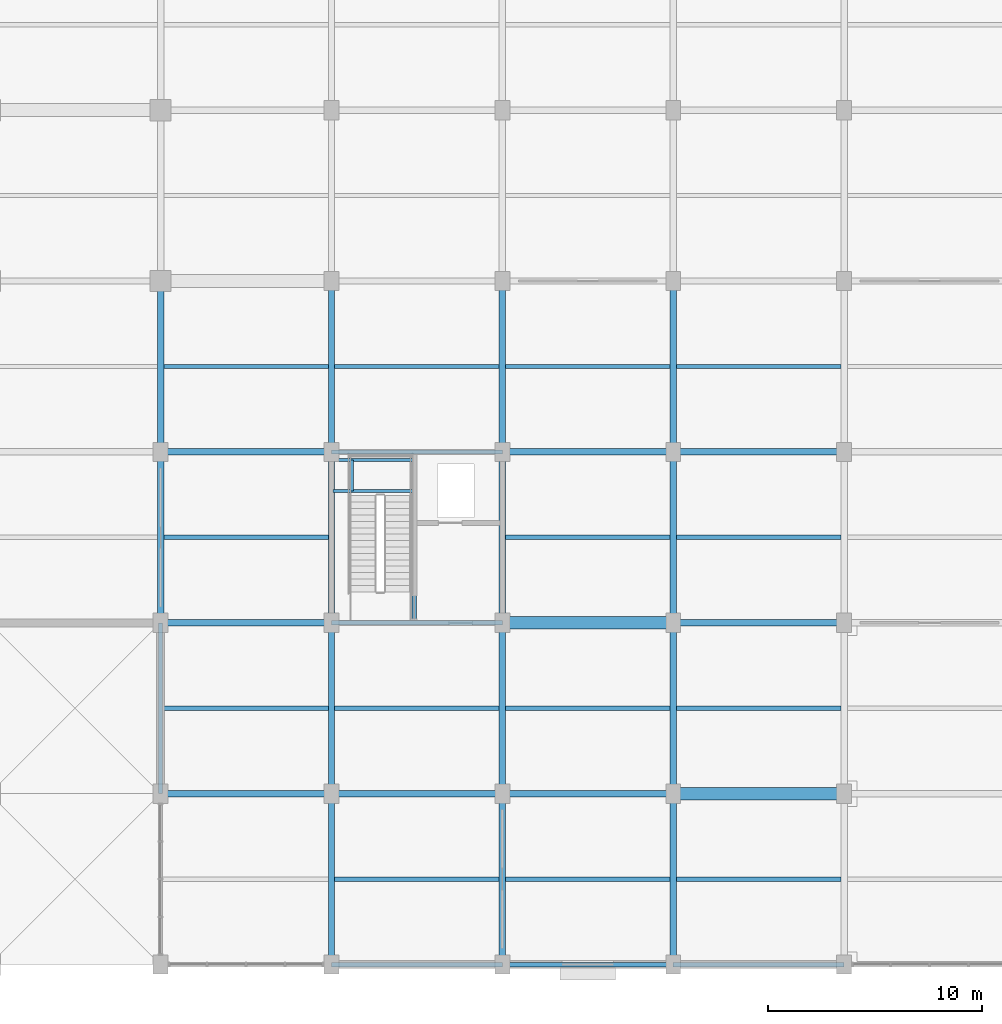
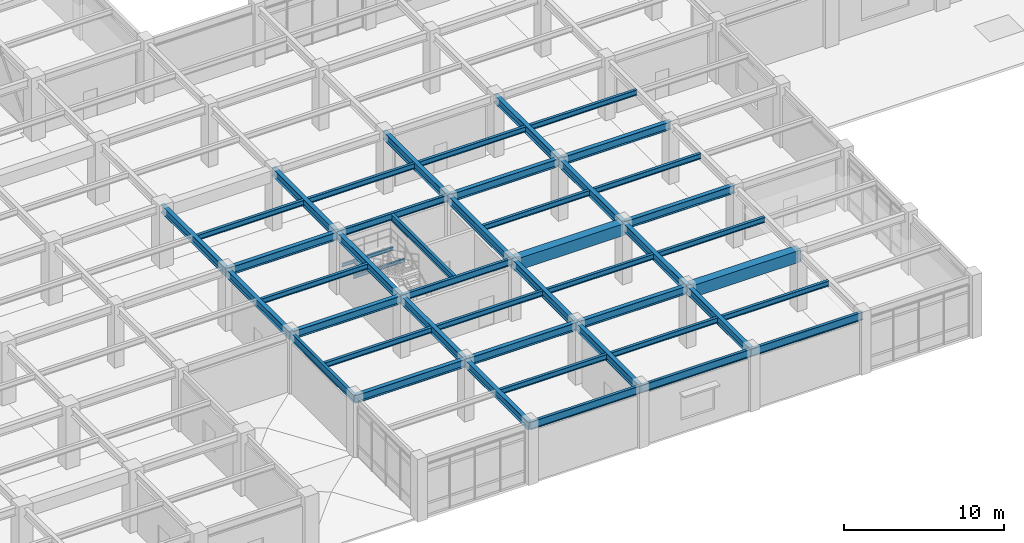
# One storey, part 27 of 117: 48 beams.
"""IFC4 building model written with IfcOpenShell, lengths in metres."""

from ifc_helpers import new_model, si_unit, direction, frame, origin, origin_2d, place, context, subcontext, project, spatial, rectangle, i_section, extrude, material, material_profile, profile_set, type_object, element, save


model = new_model("IFC4")

# Units and contexts
model_context = context("Model", 3, precision=1e-05, world=origin(), true_north=direction((0.0, 1.0)))
body_context = subcontext(model_context, "Body", "Model", "MODEL_VIEW")
ifc_project = project(units=[si_unit("LENGTHUNIT", "METRE"), si_unit("AREAUNIT", "SQUARE_METRE"), si_unit("VOLUMEUNIT", "CUBIC_METRE"), si_unit("PLANEANGLEUNIT", "RADIAN"), si_unit("MASSUNIT", "GRAM", prefix="KILO")], contexts=[model_context])

# Site, building, storey
site_placement = place(None, origin())
site = spatial("IfcSite", under=ifc_project, at=site_placement, CompositionType="ELEMENT")
building_placement = place(site_placement, origin())
building = spatial("IfcBuilding", under=site, at=building_placement, Name="Haebicheon Civic Stadium", CompositionType="ELEMENT")
storey_placement = place(building_placement, frame((0.0, 0.0, 4.800048828125)))
storey = spatial("IfcBuildingStorey", under=building, at=storey_placement, Name="L02", CompositionType="ELEMENT", Elevation=4.800048828125)

# Beams
ifc_material_1 = material(Name="Concrete C40/50", Category="concrete")
ifc_material_profile_1 = material_profile(ifc_material_1, rectangle(XDim=0.60009765625, YDim=0.89990234375, at=origin_2d()), Name="RC-BM-600x900")
ifc_profile_set_1 = profile_set([ifc_material_profile_1], Name="Concrete C40/50")
beam_type_1 = type_object("IfcBeamType", Name="BM-RC-600x900", PredefinedType="BEAM", material=ifc_profile_set_1)
for number, where, z_axis, x_axis, name in (
    (1, (176.0, 16.0, 4.070068359375), (1.0, 0.0, 0.0), (0.0, 1.0, 0.0), "L02 beam C/23-24"),
    (2, (184.0, 8.0, 4.070068359375), (1.0, 0.0, 0.0), (0.0, 1.0, 0.0), "L02 beam B/24-25"),
):
    element("IfcBeam", number, at=place(storey_placement, frame(where, z_axis=z_axis, x_axis=x_axis)), inside=storey, type_object=beam_type_1, material=ifc_profile_set_1, Name=name, PredefinedType="BEAM", context=body_context, shape_type="SweptSolid", body=[
        extrude(rectangle(XDim=0.60009765625, YDim=0.89990234375, at=origin_2d()), origin(), (0.0, 0.0, 1.0), 8.0),
    ])
ifc_material_2 = material(Name="Steel SM355 (S355)", Category="steel")
ifc_material_profile_2 = material_profile(ifc_material_2, i_section(OverallWidth=0.199951171875, OverallDepth=0.5, WebThickness=0.010009765625, FlangeThickness=0.01611328125, at=origin_2d()), Name="H-500x200x10x16")
ifc_profile_set_2 = profile_set([ifc_material_profile_2], Name="Steel SM355 (S355)")
beam_type_2 = type_object("IfcBeamType", Name="BM-ST-H500", PredefinedType="BEAM", material=ifc_profile_set_2)
for number, where, z_axis, x_axis, name in (
    (3, (168.0, 16.0, 4.27001953125), (1.0, 0.0, 0.0), (0.0, 1.0, 0.0), "L02 beam C/22-23"),
    (4, (168.0, 24.0, 4.27001953125), (1.0, 0.0, 0.0), (0.0, 1.0, 0.0), "L02 beam D/22-23"),
):
    element("IfcBeam", number, at=place(storey_placement, frame(where, z_axis=z_axis, x_axis=x_axis)), inside=storey, type_object=beam_type_2, material=ifc_profile_set_2, Name=name, PredefinedType="BEAM", context=body_context, shape_type="SweptSolid", body=[
        extrude(i_section(OverallWidth=0.199951171875, OverallDepth=0.5, WebThickness=0.010009765625, FlangeThickness=0.01611328125, at=origin_2d()), origin(), (0.0, 0.0, 1.0), 8.0),
    ])
beam_1_placement = place(storey_placement, frame((171.8798828125, 16.10009765625, 4.27001953125), z_axis=(0.0, 1.0, 0.0), x_axis=(-1.0, 0.0, 0.0)))
element("IfcBeam", 5, at=beam_1_placement, inside=storey, type_object=beam_type_2, material=ifc_profile_set_2, Name="L02 KC-14 core dividing wall support beam", PredefinedType="BEAM", context=body_context, shape_type="SweptSolid", body=[
    extrude(i_section(OverallWidth=0.199951171875, OverallDepth=0.5, WebThickness=0.010009765625, FlangeThickness=0.01611328125, at=origin_2d()), origin(), (0.0, 0.0, 1.0), 7.7998046875),
])
ifc_material_3 = material(Name="Steel SM355 (S355)", Category="steel")
ifc_material_profile_3 = material_profile(ifc_material_3, i_section(OverallWidth=0.300048828125, OverallDepth=0.60009765625, WebThickness=0.011962890625, FlangeThickness=0.02001953125, at=origin_2d()), Name="H-600x300x12x20")
ifc_profile_set_3 = profile_set([ifc_material_profile_3], Name="Steel SM355 (S355)")
beam_type_3 = type_object("IfcBeamType", Name="BM-ST-H600A", PredefinedType="BEAM", material=ifc_profile_set_3)
for number, where, z_axis, x_axis, name in (
    (6, (160.0, 16.0, 4.219970703125), (0.0, 1.0, 0.0), (-1.0, 0.0, 0.0), "L02 girder 21/C-D"),
    (7, (160.0, 24.0, 4.219970703125), (0.0, 1.0, 0.0), (-1.0, 0.0, 0.0), "L02 girder 21/D-E"),
    (8, (168.0, 0.0, 4.219970703125), (0.0, 1.0, 0.0), (-1.0, 0.0, 0.0), "L02 girder 22/A-B"),
    (9, (168.0, 8.0, 4.219970703125), (0.0, 1.0, 0.0), (-1.0, 0.0, 0.0), "L02 girder 22/B-C"),
    (10, (168.0, 16.0, 4.219970703125), (0.0, 1.0, 0.0), (-1.0, 0.0, 0.0), "L02 girder 22/C-D"),
    (11, (168.0, 24.0, 4.219970703125), (0.0, 1.0, 0.0), (-1.0, 0.0, 0.0), "L02 girder 22/D-E"),
    (12, (176.0, 0.0, 4.219970703125), (0.0, 1.0, 0.0), (-1.0, 0.0, 0.0), "L02 girder 23/A-B"),
    (13, (176.0, 8.0, 4.219970703125), (0.0, 1.0, 0.0), (-1.0, 0.0, 0.0), "L02 girder 23/B-C"),
    (14, (176.0, 16.0, 4.219970703125), (0.0, 1.0, 0.0), (-1.0, 0.0, 0.0), "L02 girder 23/C-D"),
    (15, (176.0, 24.0, 4.219970703125), (0.0, 1.0, 0.0), (-1.0, 0.0, 0.0), "L02 girder 23/D-E"),
    (16, (184.0, 0.0, 4.219970703125), (0.0, 1.0, 0.0), (-1.0, 0.0, 0.0), "L02 girder 24/A-B"),
    (17, (184.0, 8.0, 4.219970703125), (0.0, 1.0, 0.0), (-1.0, 0.0, 0.0), "L02 girder 24/B-C"),
    (18, (184.0, 16.0, 4.219970703125), (0.0, 1.0, 0.0), (-1.0, 0.0, 0.0), "L02 girder 24/C-D"),
    (19, (184.0, 24.0, 4.219970703125), (0.0, 1.0, 0.0), (-1.0, 0.0, 0.0), "L02 girder 24/D-E"),
    (20, (160.0, 8.0, 4.219970703125), (1.0, 0.0, 0.0), (0.0, 1.0, 0.0), "L02 beam B/21-22"),
    (21, (160.0, 16.0, 4.219970703125), (1.0, 0.0, 0.0), (0.0, 1.0, 0.0), "L02 beam C/21-22"),
    (22, (160.0, 24.0, 4.219970703125), (1.0, 0.0, 0.0), (0.0, 1.0, 0.0), "L02 beam D/21-22"),
    (23, (168.0, 8.0, 4.219970703125), (1.0, 0.0, 0.0), (0.0, 1.0, 0.0), "L02 beam B/22-23"),
    (24, (176.0, 8.0, 4.219970703125), (1.0, 0.0, 0.0), (0.0, 1.0, 0.0), "L02 beam B/23-24"),
    (25, (176.0, 24.0, 4.219970703125), (1.0, 0.0, 0.0), (0.0, 1.0, 0.0), "L02 beam D/23-24"),
    (26, (184.0, 16.0, 4.219970703125), (1.0, 0.0, 0.0), (0.0, 1.0, 0.0), "L02 beam C/24-25"),
    (27, (184.0, 24.0, 4.219970703125), (1.0, 0.0, 0.0), (0.0, 1.0, 0.0), "L02 beam D/24-25"),
):
    element("IfcBeam", number, at=place(storey_placement, frame(where, z_axis=z_axis, x_axis=x_axis)), inside=storey, type_object=beam_type_3, material=ifc_profile_set_3, Name=name, PredefinedType="BEAM", context=body_context, shape_type="SweptSolid", body=[
        extrude(i_section(OverallWidth=0.300048828125, OverallDepth=0.60009765625, WebThickness=0.011962890625, FlangeThickness=0.02001953125, at=origin_2d()), origin(), (0.0, 0.0, 1.0), 8.0),
    ])
ifc_material_4 = material(Name="Steel SM355 (S355)", Category="steel")
ifc_material_profile_4 = material_profile(ifc_material_4, i_section(OverallWidth=0.125, OverallDepth=0.25, WebThickness=0.006103515625, FlangeThickness=0.009033203125, at=origin_2d()), Name="H-250x125x6x9")
ifc_profile_set_4 = profile_set([ifc_material_profile_4], Name="Steel SM355 (S355)")
beam_type_4 = type_object("IfcBeamType", Name="JST-ST-H250", PredefinedType="JOIST", material=ifc_profile_set_4)
for number, where, z_axis, x_axis, name in (
    (28, (168.080078125, 22.169921875, 2.072021484375), (1.0, 0.0, 0.0), (0.0, 1.0, 0.0), "KC-14 L02 stair half-landing front trimmer beam"),
    (29, (168.080078125, 23.6201171875, 2.072021484375), (1.0, 0.0, 0.0), (0.0, 1.0, 0.0), "KC-14 L02 stair half-landing rear trimmer beam"),
):
    element("IfcBeam", number, at=place(storey_placement, frame(where, z_axis=z_axis, x_axis=x_axis)), inside=storey, type_object=beam_type_4, material=ifc_profile_set_4, Name=name, PredefinedType="JOIST", context=body_context, shape_type="SweptSolid", body=[
        extrude(i_section(OverallWidth=0.125, OverallDepth=0.25, WebThickness=0.006103515625, FlangeThickness=0.009033203125, at=origin_2d()), origin(), (0.0, 0.0, 1.0), 3.719970703125),
    ])
beam_2_placement = place(storey_placement, frame((168.9599609375, 22.169921875, 2.072021484375), z_axis=(0.0, 1.0, 0.0), x_axis=(-1.0, 0.0, 0.0)))
element("IfcBeam", 30, at=beam_2_placement, inside=storey, type_object=beam_type_4, material=ifc_profile_set_4, Name="KC-14 L02 stair half-landing transverse tie beam", PredefinedType="JOIST", context=body_context, shape_type="SweptSolid", body=[
    extrude(i_section(OverallWidth=0.125, OverallDepth=0.25, WebThickness=0.006103515625, FlangeThickness=0.009033203125, at=origin_2d()), origin(), (0.0, 0.0, 1.0), 1.4501953125),
])
ifc_material_5 = material(Name="Steel SM355 (S355)", Category="steel")
ifc_material_profile_5 = material_profile(ifc_material_5, i_section(OverallWidth=0.199951171875, OverallDepth=0.39990234375, WebThickness=0.008056640625, FlangeThickness=0.012939453125, at=origin_2d()), Name="H-400x200x8x13")
ifc_profile_set_5 = profile_set([ifc_material_profile_5], Name="Steel SM355 (S355)")
beam_type_5 = type_object("IfcBeamType", Name="JST-ST-H400", PredefinedType="JOIST", material=ifc_profile_set_5)
beam_3_placement = place(storey_placement, frame((160.10009765625, 12.0, 4.320068359375), z_axis=(1.0, 0.0, 0.0), x_axis=(0.0, 1.0, 0.0)))
element("IfcBeam", 31, at=beam_3_placement, inside=storey, type_object=beam_type_5, material=ifc_profile_set_5, Name="L02 secondary joist 20-01", PredefinedType="JOIST", context=body_context, shape_type="SweptSolid", body=[
    extrude(i_section(OverallWidth=0.199951171875, OverallDepth=0.39990234375, WebThickness=0.008056640625, FlangeThickness=0.012939453125, at=origin_2d()), origin(), (0.0, 0.0, 1.0), 7.75),
])
for number, where, z_axis, x_axis, name in (
    (32, (160.14990234375, 20.0, 4.320068359375), (1.0, 0.0, 0.0), (0.0, 1.0, 0.0), "L02 secondary joist 20-02"),
    (33, (160.14990234375, 28.0, 4.320068359375), (1.0, 0.0, 0.0), (0.0, 1.0, 0.0), "L02 secondary joist 20-03"),
    (34, (168.14990234375, 4.0, 4.320068359375), (1.0, 0.0, 0.0), (0.0, 1.0, 0.0), "L02 secondary joist 21-00"),
    (35, (168.14990234375, 12.0, 4.320068359375), (1.0, 0.0, 0.0), (0.0, 1.0, 0.0), "L02 secondary joist 21-01"),
    (36, (168.14990234375, 28.0, 4.320068359375), (1.0, 0.0, 0.0), (0.0, 1.0, 0.0), "L02 secondary joist 21-03"),
    (37, (176.14990234375, 4.0, 4.320068359375), (1.0, 0.0, 0.0), (0.0, 1.0, 0.0), "L02 secondary joist 22-00"),
    (38, (176.14990234375, 12.0, 4.320068359375), (1.0, 0.0, 0.0), (0.0, 1.0, 0.0), "L02 secondary joist 22-01"),
    (39, (176.14990234375, 20.0, 4.320068359375), (1.0, 0.0, 0.0), (0.0, 1.0, 0.0), "L02 secondary joist 22-02"),
    (40, (176.14990234375, 28.0, 4.320068359375), (1.0, 0.0, 0.0), (0.0, 1.0, 0.0), "L02 secondary joist 22-03"),
    (41, (184.14990234375, 4.0, 4.320068359375), (1.0, 0.0, 0.0), (0.0, 1.0, 0.0), "L02 secondary joist 23-00"),
    (42, (184.14990234375, 12.0, 4.320068359375), (1.0, 0.0, 0.0), (0.0, 1.0, 0.0), "L02 secondary joist 23-01"),
    (43, (184.14990234375, 20.0, 4.320068359375), (1.0, 0.0, 0.0), (0.0, 1.0, 0.0), "L02 secondary joist 23-02"),
    (44, (184.14990234375, 28.0, 4.320068359375), (1.0, 0.0, 0.0), (0.0, 1.0, 0.0), "L02 secondary joist 23-03"),
):
    element("IfcBeam", number, at=place(storey_placement, frame(where, z_axis=z_axis, x_axis=x_axis)), inside=storey, type_object=beam_type_5, material=ifc_profile_set_5, Name=name, PredefinedType="JOIST", context=body_context, shape_type="SweptSolid", body=[
        extrude(i_section(OverallWidth=0.199951171875, OverallDepth=0.39990234375, WebThickness=0.008056640625, FlangeThickness=0.012939453125, at=origin_2d()), origin(), (0.0, 0.0, 1.0), 7.7001953125),
    ])
ifc_material_6 = material(Name="Steel SM355 (S355)", Category="steel")
ifc_material_profile_6 = material_profile(ifc_material_6, i_section(OverallWidth=0.199951171875, OverallDepth=0.60009765625, WebThickness=0.010986328125, FlangeThickness=0.01708984375, at=origin_2d()), Name="H-600x200x11x17")
ifc_profile_set_6 = profile_set([ifc_material_profile_6], Name="Steel SM355 (S355)")
beam_type_6 = type_object("IfcBeamType", Name="SPD-ST-H600B", PredefinedType="SPANDREL", material=ifc_profile_set_6)
for number, where, z_axis, x_axis, name in (
    (45, (160.0, 8.0, 4.219970703125), (0.0, 1.0, 0.0), (-1.0, 0.0, 0.0), "L02 girder 21/B-C"),
    (46, (168.0, 0.0, 4.219970703125), (1.0, 0.0, 0.0), (0.0, 1.0, 0.0), "L02 beam A/22-23"),
    (47, (176.0, 0.0, 4.219970703125), (1.0, 0.0, 0.0), (0.0, 1.0, 0.0), "L02 beam A/23-24"),
    (48, (184.0, 0.0, 4.219970703125), (1.0, 0.0, 0.0), (0.0, 1.0, 0.0), "L02 beam A/24-25"),
):
    element("IfcBeam", number, at=place(storey_placement, frame(where, z_axis=z_axis, x_axis=x_axis)), inside=storey, type_object=beam_type_6, material=ifc_profile_set_6, Name=name, PredefinedType="SPANDREL", context=body_context, shape_type="SweptSolid", body=[
        extrude(i_section(OverallWidth=0.199951171875, OverallDepth=0.60009765625, WebThickness=0.010986328125, FlangeThickness=0.01708984375, at=origin_2d()), origin(), (0.0, 0.0, 1.0), 8.0),
    ])

save(model, "model.ifc")
